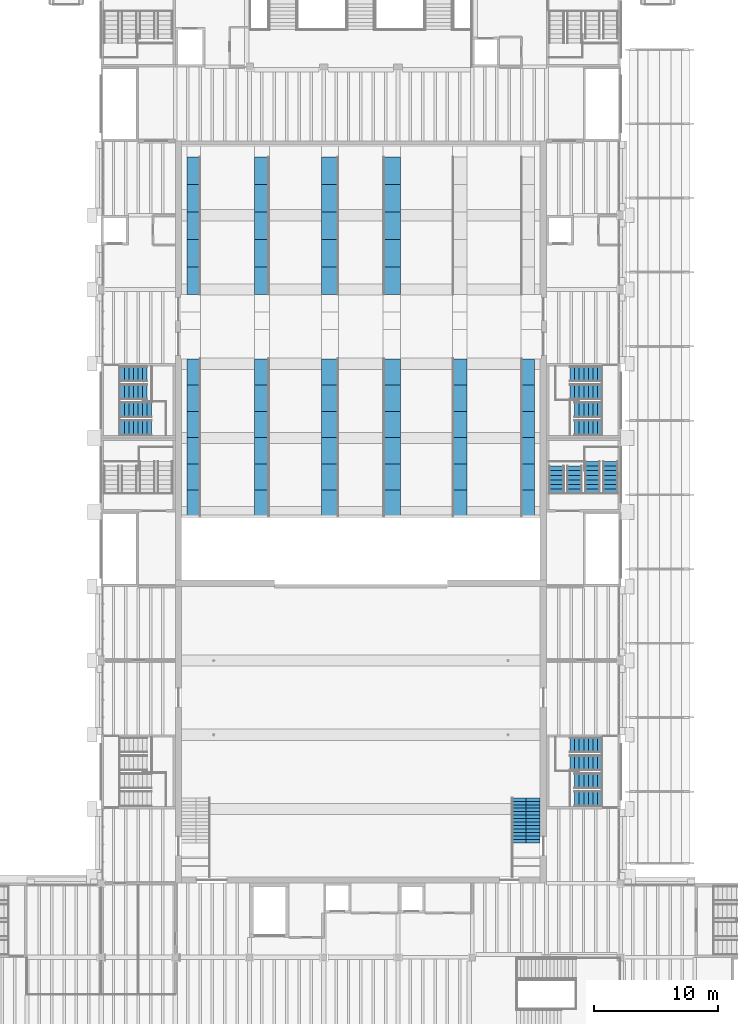
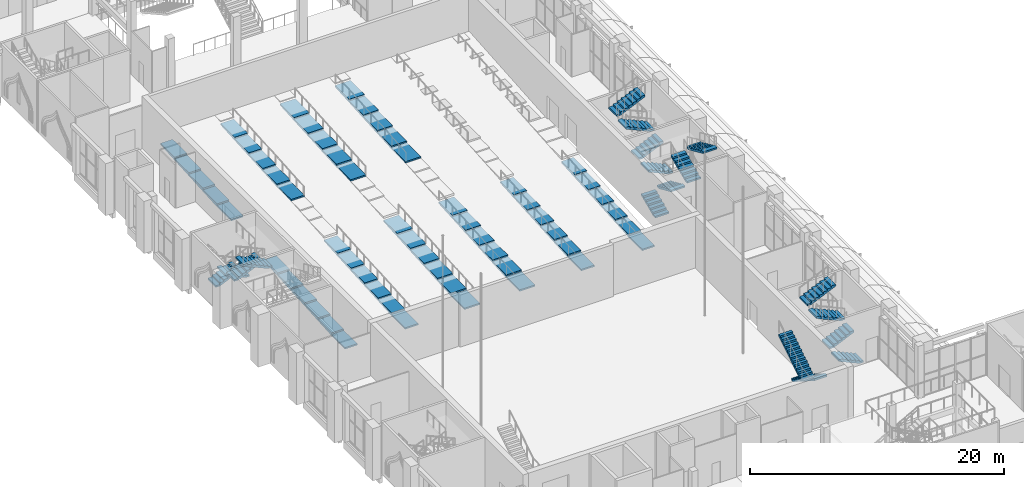
# One storey, part 48 of 80: 28 stair flights, 15 elements without a shape of their own.
"""IFC4 building model written with IfcOpenShell, lengths in metres."""

from ifc_helpers import new_model, si_unit, direction, frame, origin, place, context, subcontext, project, spatial, polyline, outline, extrude, material, type_object, element, aggregate, save


model = new_model("IFC4")

# Units and contexts
model_context = context("Model", 3, precision=1e-05, world=origin(), true_north=direction((0.0, 1.0)))
body_context = subcontext(model_context, "Body", "Model", "MODEL_VIEW")
ifc_project = project(units=[si_unit("LENGTHUNIT", "METRE"), si_unit("AREAUNIT", "SQUARE_METRE"), si_unit("VOLUMEUNIT", "CUBIC_METRE"), si_unit("PLANEANGLEUNIT", "RADIAN"), si_unit("MASSUNIT", "GRAM", prefix="KILO")], contexts=[model_context])

# Site, building, storey
site_placement = place(None, origin())
site = spatial("IfcSite", under=ifc_project, at=site_placement, CompositionType="ELEMENT")
building_placement = place(site_placement, origin())
building = spatial("IfcBuilding", under=site, at=building_placement, Name="Saffron Lane Theatres", CompositionType="ELEMENT")
storey_placement = place(building_placement, frame((0.0, 0.0, 7.0)))
storey = spatial("IfcBuildingStorey", under=building, at=storey_placement, Name="L01", CompositionType="ELEMENT", Elevation=7.0)

# Stair, stair flights
ifc_material_1 = material(Name="Steel Grade 350 stair", Category="steel")
stair_type_1 = type_object("IfcStairType", Name="ST-STEEL STAIR", PredefinedType="HALF_TURN_STAIR", material=ifc_material_1)
stair_1_placement = place(storey_placement, origin())
stair_1 = element("IfcStair", 1, at=stair_1_placement, inside=storey, type_object=stair_type_1, Name="STG4", PredefinedType="HALF_TURN_STAIR")
ifc_material_2 = material(Name="Steel Grade 350 stair", Category="steel")
stair_flight_type_1 = type_object("IfcStairFlightType", Name="ST-STEEL STAIR FLIGHT", PredefinedType="STRAIGHT", material=ifc_material_2)
stair_flight_1_placement = place(storey_placement, frame((46.925048828125, 36.89990234375, 0.0), z_axis=(0.0, 0.0, 1.0), x_axis=(0.0, -1.0, 0.0)))
stair_flight_1 = element("IfcStairFlight", 2, at=stair_flight_1_placement, type_object=stair_flight_type_1, Name="STG4 flight 1", NumberOfRisers=14, NumberOfTreads=13, PredefinedType="STRAIGHT", RiserHeight=0.178571, TreadLength=0.28, context=body_context, shape_type="SweptSolid", body=[
    extrude(outline(polyline([(0.0, 0.0), (0.0, 0.178466796875), (0.280029296875, 0.178466796875), (0.280029296875, 0.357177734375), (0.56005859375, 0.357177734375), (0.56005859375, 0.53564453125), (0.840087890625, 0.53564453125), (0.840087890625, 0.71435546875), (1.1201171875, 0.71435546875), (1.1201171875, 0.892822265625), (1.39990234375, 0.892822265625), (1.39990234375, 1.071533203125), (1.679931640625, 1.071533203125), (1.679931640625, 1.25), (1.9599609375, 1.25), (1.9599609375, 1.428466796875), (2.239990234375, 1.428466796875), (2.239990234375, 1.607177734375), (2.52001953125, 1.607177734375), (2.52001953125, 1.78564453125), (2.800048828125, 1.78564453125), (2.800048828125, 1.96435546875), (3.080078125, 1.96435546875), (3.080078125, 2.142822265625), (3.360107421875, 2.142822265625), (3.360107421875, 2.321533203125), (3.639892578125, 2.321533203125), (3.639892578125, 2.5), (3.639892578125, 2.1435546875), (0.27880859375, 0.0), (0.0, 0.0)])), frame((0.0, 0.574951171875, 0.0), z_axis=(0.0, -1.0, 0.0), x_axis=(1.0, 0.0, 0.0)), (0.0, 0.0, 1.0), 1.14990234375),
])
stair_flight_2_placement = place(storey_placement, frame((45.77490234375, 33.260009765625, 2.5), z_axis=(0.0, 0.0, 1.0), x_axis=(0.0, 1.0, 0.0)))
stair_flight_2 = element("IfcStairFlight", 3, at=stair_flight_2_placement, type_object=stair_flight_type_1, Name="STG4 flight 2", NumberOfRisers=14, NumberOfTreads=13, PredefinedType="STRAIGHT", RiserHeight=0.178571, TreadLength=0.28, context=body_context, shape_type="SweptSolid", body=[
    extrude(outline(polyline([(0.0, 0.0), (0.0, 0.178466796875), (0.280029296875, 0.178466796875), (0.280029296875, 0.357177734375), (0.56005859375, 0.357177734375), (0.56005859375, 0.53564453125), (0.840087890625, 0.53564453125), (0.840087890625, 0.71435546875), (1.1201171875, 0.71435546875), (1.1201171875, 0.892822265625), (1.39990234375, 0.892822265625), (1.39990234375, 1.071533203125), (1.679931640625, 1.071533203125), (1.679931640625, 1.25), (1.9599609375, 1.25), (1.9599609375, 1.428466796875), (2.239990234375, 1.428466796875), (2.239990234375, 1.607177734375), (2.52001953125, 1.607177734375), (2.52001953125, 1.78564453125), (2.800048828125, 1.78564453125), (2.800048828125, 1.96435546875), (3.080078125, 1.96435546875), (3.080078125, 2.142822265625), (3.360107421875, 2.142822265625), (3.360107421875, 2.321533203125), (3.639892578125, 2.321533203125), (3.639892578125, 2.5), (3.639892578125, 2.1435546875), (0.27880859375, 0.0), (0.0, 0.0)])), frame((0.0, 0.574951171875, 0.0), z_axis=(0.0, -1.0, 0.0), x_axis=(1.0, 0.0, 0.0)), (0.0, 0.0, 1.0), 1.14990234375),
])
aggregate(stair_1, [stair_flight_1, stair_flight_2])

# Stair, stair flight
ifc_material_3 = material(Name="Concrete N40 (40 MPa)", Category="concrete")
stair_type_2 = type_object("IfcStairType", Name="VC-STAIR AISLE", PredefinedType="STRAIGHT_RUN_STAIR", material=ifc_material_3)
stair_2_placement = place(storey_placement, origin())
stair_2 = element("IfcStair", 4, at=stair_2_placement, inside=storey, type_object=stair_type_2, Name="Stalls aisle 1 part 1", PredefinedType="STRAIGHT_RUN_STAIR")
ifc_material_4 = material(Name="Concrete N40 (40 MPa)", Category="concrete")
stair_flight_type_2 = type_object("IfcStairFlightType", Name="VC-FLIGHT 1100", PredefinedType="STRAIGHT", material=ifc_material_4)
stair_flight_3_placement = place(storey_placement, frame((19.5, 59.64990234375, -1.22802734375), z_axis=(0.0, 0.0, 1.0), x_axis=(0.0, 1.0, 0.0)))
stair_flight_3 = element("IfcStairFlight", 5, at=stair_flight_3_placement, type_object=stair_flight_type_2, Name="Stalls aisle 1 part 1 flight", NumberOfRisers=7, NumberOfTreads=6, PredefinedType="STRAIGHT", RiserHeight=0.145714286, TreadLength=2.125, context=body_context, shape_type="SweptSolid", body=[
    extrude(outline(polyline([(0.0, 0.0), (0.0, 0.145751953125), (2.125, 0.145751953125), (2.125, 0.29150390625), (4.25, 0.29150390625), (4.25, 0.437255859375), (6.375, 0.437255859375), (6.375, 0.582763671875), (8.5, 0.582763671875), (8.5, 0.728515625), (10.625, 0.728515625), (10.625, 0.874267578125), (12.75, 0.874267578125), (12.75, 1.02001953125), (12.75, 0.72412109375), (2.191162109375, 0.0), (0.0, 0.0)])), frame((0.0, 0.550048828125, 0.0), z_axis=(0.0, -1.0, 0.0), x_axis=(1.0, 0.0, 0.0)), (0.0, 0.0, 1.0), 1.10009765625),
])
aggregate(stair_2, [stair_flight_3])

stair_3_placement = place(storey_placement, origin())
stair_3 = element("IfcStair", 6, at=stair_3_placement, inside=storey, type_object=stair_type_2, Name="Stalls aisle 1 part 2", PredefinedType="STRAIGHT_RUN_STAIR")
stair_flight_4_placement = place(storey_placement, frame((19.5, 77.60009765625, 0.2080078125), z_axis=(0.0, 0.0, 1.0), x_axis=(0.0, 1.0, 0.0)))
stair_flight_4 = element("IfcStairFlight", 7, at=stair_flight_4_placement, type_object=stair_flight_type_2, Name="Stalls aisle 1 part 2 flight", NumberOfRisers=6, NumberOfTreads=5, PredefinedType="STRAIGHT", RiserHeight=0.148, TreadLength=2.22, context=body_context, shape_type="SweptSolid", body=[
    extrude(outline(polyline([(0.0, 0.0), (0.0, 0.14794921875), (2.219970703125, 0.14794921875), (2.219970703125, 0.2958984375), (4.43994140625, 0.2958984375), (4.43994140625, 0.444091796875), (6.659912109375, 0.444091796875), (6.659912109375, 0.592041015625), (8.8798828125, 0.592041015625), (8.8798828125, 0.739990234375), (11.10009765625, 0.739990234375), (11.10009765625, 0.887939453125), (11.10009765625, 0.58984375), (2.25341796875, 0.0), (0.0, 0.0)])), frame((0.0, 0.550048828125, 0.0), z_axis=(0.0, -1.0, 0.0), x_axis=(1.0, 0.0, 0.0)), (0.0, 0.0, 1.0), 1.10009765625),
])
aggregate(stair_3, [stair_flight_4])

stair_4_placement = place(storey_placement, origin())
stair_4 = element("IfcStair", 8, at=stair_4_placement, inside=storey, type_object=stair_type_2, Name="Stalls aisle 6 part 1", PredefinedType="STRAIGHT_RUN_STAIR")
stair_flight_5_placement = place(storey_placement, frame((46.5, 59.64990234375, -1.22802734375), z_axis=(0.0, 0.0, 1.0), x_axis=(0.0, 1.0, 0.0)))
stair_flight_5 = element("IfcStairFlight", 9, at=stair_flight_5_placement, type_object=stair_flight_type_2, Name="Stalls aisle 6 part 1 flight", NumberOfRisers=7, NumberOfTreads=6, PredefinedType="STRAIGHT", RiserHeight=0.145714286, TreadLength=2.125, context=body_context, shape_type="SweptSolid", body=[
    extrude(outline(polyline([(0.0, 0.0), (0.0, 0.145751953125), (2.125, 0.145751953125), (2.125, 0.29150390625), (4.25, 0.29150390625), (4.25, 0.437255859375), (6.375, 0.437255859375), (6.375, 0.582763671875), (8.5, 0.582763671875), (8.5, 0.728515625), (10.625, 0.728515625), (10.625, 0.874267578125), (12.75, 0.874267578125), (12.75, 1.02001953125), (12.75, 0.72412109375), (2.191162109375, 0.0), (0.0, 0.0)])), frame((0.0, 0.550048828125, 0.0), z_axis=(0.0, -1.0, 0.0), x_axis=(1.0, 0.0, 0.0)), (0.0, 0.0, 1.0), 1.10009765625),
])
aggregate(stair_4, [stair_flight_5])

stair_5_placement = place(storey_placement, origin())
stair_5 = element("IfcStair", 10, at=stair_5_placement, inside=storey, type_object=stair_type_2, Name="Stalls aisle 2 part 1", PredefinedType="STRAIGHT_RUN_STAIR")
ifc_material_5 = material(Name="Concrete N40 (40 MPa)", Category="concrete")
stair_flight_type_3 = type_object("IfcStairFlightType", Name="VC-FLIGHT 1200", PredefinedType="STRAIGHT", material=ifc_material_5)
stair_flight_6_placement = place(storey_placement, frame((25.0, 59.64990234375, -1.22802734375), z_axis=(0.0, 0.0, 1.0), x_axis=(0.0, 1.0, 0.0)))
stair_flight_6 = element("IfcStairFlight", 11, at=stair_flight_6_placement, type_object=stair_flight_type_3, Name="Stalls aisle 2 part 1 flight", NumberOfRisers=7, NumberOfTreads=6, PredefinedType="STRAIGHT", RiserHeight=0.145714286, TreadLength=2.125, context=body_context, shape_type="SweptSolid", body=[
    extrude(outline(polyline([(0.0, 0.0), (0.0, 0.145751953125), (2.125, 0.145751953125), (2.125, 0.29150390625), (4.25, 0.29150390625), (4.25, 0.437255859375), (6.375, 0.437255859375), (6.375, 0.582763671875), (8.5, 0.582763671875), (8.5, 0.728515625), (10.625, 0.728515625), (10.625, 0.874267578125), (12.75, 0.874267578125), (12.75, 1.02001953125), (12.75, 0.72412109375), (2.191162109375, 0.0), (0.0, 0.0)])), frame((0.0, 0.60009765625, 0.0), z_axis=(0.0, -1.0, 0.0), x_axis=(1.0, 0.0, 0.0)), (0.0, 0.0, 1.0), 1.199951171875),
])
aggregate(stair_5, [stair_flight_6])

stair_6_placement = place(storey_placement, origin())
stair_6 = element("IfcStair", 12, at=stair_6_placement, inside=storey, type_object=stair_type_2, Name="Stalls aisle 2 part 2", PredefinedType="STRAIGHT_RUN_STAIR")
stair_flight_7_placement = place(storey_placement, frame((25.0, 77.60009765625, 0.2080078125), z_axis=(0.0, 0.0, 1.0), x_axis=(0.0, 1.0, 0.0)))
stair_flight_7 = element("IfcStairFlight", 13, at=stair_flight_7_placement, type_object=stair_flight_type_3, Name="Stalls aisle 2 part 2 flight", NumberOfRisers=6, NumberOfTreads=5, PredefinedType="STRAIGHT", RiserHeight=0.148, TreadLength=2.22, context=body_context, shape_type="SweptSolid", body=[
    extrude(outline(polyline([(0.0, 0.0), (0.0, 0.14794921875), (2.219970703125, 0.14794921875), (2.219970703125, 0.2958984375), (4.43994140625, 0.2958984375), (4.43994140625, 0.444091796875), (6.659912109375, 0.444091796875), (6.659912109375, 0.592041015625), (8.8798828125, 0.592041015625), (8.8798828125, 0.739990234375), (11.10009765625, 0.739990234375), (11.10009765625, 0.887939453125), (11.10009765625, 0.58984375), (2.25341796875, 0.0), (0.0, 0.0)])), frame((0.0, 0.60009765625, 0.0), z_axis=(0.0, -1.0, 0.0), x_axis=(1.0, 0.0, 0.0)), (0.0, 0.0, 1.0), 1.199951171875),
])
aggregate(stair_6, [stair_flight_7])

stair_7_placement = place(storey_placement, origin())
stair_7 = element("IfcStair", 14, at=stair_7_placement, inside=storey, type_object=stair_type_2, Name="Stalls aisle 5 part 1", PredefinedType="STRAIGHT_RUN_STAIR")
stair_flight_8_placement = place(storey_placement, frame((41.0, 59.64990234375, -1.22802734375), z_axis=(0.0, 0.0, 1.0), x_axis=(0.0, 1.0, 0.0)))
stair_flight_8 = element("IfcStairFlight", 15, at=stair_flight_8_placement, type_object=stair_flight_type_3, Name="Stalls aisle 5 part 1 flight", NumberOfRisers=7, NumberOfTreads=6, PredefinedType="STRAIGHT", RiserHeight=0.145714286, TreadLength=2.125, context=body_context, shape_type="SweptSolid", body=[
    extrude(outline(polyline([(0.0, 0.0), (0.0, 0.145751953125), (2.125, 0.145751953125), (2.125, 0.29150390625), (4.25, 0.29150390625), (4.25, 0.437255859375), (6.375, 0.437255859375), (6.375, 0.582763671875), (8.5, 0.582763671875), (8.5, 0.728515625), (10.625, 0.728515625), (10.625, 0.874267578125), (12.75, 0.874267578125), (12.75, 1.02001953125), (12.75, 0.72412109375), (2.191162109375, 0.0), (0.0, 0.0)])), frame((0.0, 0.60009765625, 0.0), z_axis=(0.0, -1.0, 0.0), x_axis=(1.0, 0.0, 0.0)), (0.0, 0.0, 1.0), 1.199951171875),
])
aggregate(stair_7, [stair_flight_8])

# Stair, stair flights
ifc_material_6 = material(Name="Concrete N40 (40 MPa)", Category="concrete")
stair_type_3 = type_object("IfcStairType", Name="VC-STAIR EXIT", PredefinedType="TWO_STRAIGHT_RUN_STAIR", material=ifc_material_6)
stair_8_placement = place(storey_placement, origin())
stair_8 = element("IfcStair", 16, at=stair_8_placement, inside=storey, type_object=stair_type_3, Name="Auditorium West Rear Stair L01 to L02", PredefinedType="TWO_STRAIGHT_RUN_STAIR")
ifc_material_7 = material(Name="Concrete N40 (40 MPa)", Category="concrete")
stair_flight_type_4 = type_object("IfcStairFlightType", Name="VC-FLIGHT 1250", PredefinedType="STRAIGHT", material=ifc_material_7)
stair_flight_9_placement = place(storey_placement, frame((13.5, 71.175048828125, 0.0), z_axis=(0.0, 0.0, 1.0), x_axis=(1.0, 0.0, 0.0)))
stair_flight_9 = element("IfcStairFlight", 17, at=stair_flight_9_placement, type_object=stair_flight_type_4, Name="Auditorium West Rear Stair flight 2.1", NumberOfRisers=7, NumberOfTreads=6, PredefinedType="STRAIGHT", RiserHeight=0.166666667, TreadLength=0.37, context=body_context, shape_type="SweptSolid", body=[
    extrude(outline(polyline([(0.0, 0.0), (0.0, 0.166748046875), (0.3701171875, 0.166748046875), (0.3701171875, 0.333251953125), (0.739990234375, 0.333251953125), (0.739990234375, 0.5), (1.110107421875, 0.5), (1.110107421875, 0.666748046875), (1.47998046875, 0.666748046875), (1.47998046875, 0.833251953125), (1.85009765625, 0.833251953125), (1.85009765625, 1.0), (2.219970703125, 1.0), (2.219970703125, 1.166748046875), (2.219970703125, 0.835693359375), (0.364990234375, 0.0), (0.0, 0.0)])), frame((0.0, 0.625, 0.0), z_axis=(0.0, -1.0, 0.0), x_axis=(1.0, 0.0, 0.0)), (0.0, 0.0, 1.0), 1.25),
])
stair_flight_10_placement = place(storey_placement, frame((15.719970703125, 69.72509765625, 1.166748046875), z_axis=(0.0, 0.0, 1.0), x_axis=(-1.0, 0.0, 0.0)))
stair_flight_10 = element("IfcStairFlight", 18, at=stair_flight_10_placement, type_object=stair_flight_type_4, Name="Auditorium West Rear Stair flight 2.2", NumberOfRisers=7, NumberOfTreads=6, PredefinedType="STRAIGHT", RiserHeight=0.166666667, TreadLength=0.37, context=body_context, shape_type="SweptSolid", body=[
    extrude(outline(polyline([(0.0, 0.0), (0.0, 0.166748046875), (0.3701171875, 0.166748046875), (0.3701171875, 0.333251953125), (0.739990234375, 0.333251953125), (0.739990234375, 0.5), (1.110107421875, 0.5), (1.110107421875, 0.666748046875), (1.47998046875, 0.666748046875), (1.47998046875, 0.833251953125), (1.85009765625, 0.833251953125), (1.85009765625, 1.0), (2.219970703125, 1.0), (2.219970703125, 1.166748046875), (2.219970703125, 0.835693359375), (0.364990234375, 0.0), (0.0, 0.0)])), frame((0.0, 0.625, 0.0), z_axis=(0.0, -1.0, 0.0), x_axis=(1.0, 0.0, 0.0)), (0.0, 0.0, 1.0), 1.25),
])
stair_flight_11_placement = place(storey_placement, frame((13.5, 68.27490234375, 2.333251953125), z_axis=(0.0, 0.0, 1.0), x_axis=(1.0, 0.0, 0.0)))
stair_flight_11 = element("IfcStairFlight", 19, at=stair_flight_11_placement, type_object=stair_flight_type_4, Name="Auditorium West Rear Stair flight 2.3", NumberOfRisers=8, NumberOfTreads=7, PredefinedType="STRAIGHT", RiserHeight=0.166666667, TreadLength=0.37, context=body_context, shape_type="SweptSolid", body=[
    extrude(outline(polyline([(0.0, 0.0), (0.0, 0.166748046875), (0.3701171875, 0.166748046875), (0.3701171875, 0.333251953125), (0.739990234375, 0.333251953125), (0.739990234375, 0.5), (1.110107421875, 0.5), (1.110107421875, 0.666748046875), (1.47998046875, 0.666748046875), (1.47998046875, 0.833251953125), (1.85009765625, 0.833251953125), (1.85009765625, 1.0), (2.219970703125, 1.0), (2.219970703125, 1.166748046875), (2.590087890625, 1.166748046875), (2.590087890625, 1.333251953125), (2.590087890625, 1.002197265625), (0.364990234375, 0.0), (0.0, 0.0)])), frame((0.0, 0.625, 0.0), z_axis=(0.0, -1.0, 0.0), x_axis=(1.0, 0.0, 0.0)), (0.0, 0.0, 1.0), 1.25),
])
stair_flight_12_placement = place(storey_placement, frame((16.090087890625, 66.824951171875, 3.666748046875), z_axis=(0.0, 0.0, 1.0), x_axis=(-1.0, 0.0, 0.0)))
stair_flight_12 = element("IfcStairFlight", 20, at=stair_flight_12_placement, type_object=stair_flight_type_4, Name="Auditorium West Rear Stair flight 2.4", NumberOfRisers=8, NumberOfTreads=7, PredefinedType="STRAIGHT", RiserHeight=0.166666667, TreadLength=0.37, context=body_context, shape_type="SweptSolid", body=[
    extrude(outline(polyline([(0.0, 0.0), (0.0, 0.166748046875), (0.3701171875, 0.166748046875), (0.3701171875, 0.333251953125), (0.739990234375, 0.333251953125), (0.739990234375, 0.5), (1.110107421875, 0.5), (1.110107421875, 0.666748046875), (1.47998046875, 0.666748046875), (1.47998046875, 0.833251953125), (1.85009765625, 0.833251953125), (1.85009765625, 1.0), (2.219970703125, 1.0), (2.219970703125, 1.166748046875), (2.590087890625, 1.166748046875), (2.590087890625, 1.333251953125), (2.590087890625, 1.002197265625), (0.364990234375, 0.0), (0.0, 0.0)])), frame((0.0, 0.625, 0.0), z_axis=(0.0, -1.0, 0.0), x_axis=(1.0, 0.0, 0.0)), (0.0, 0.0, 1.0), 1.25),
])
aggregate(stair_8, [stair_flight_9, stair_flight_10, stair_flight_11, stair_flight_12])

stair_9_placement = place(storey_placement, origin())
stair_9 = element("IfcStair", 21, at=stair_9_placement, inside=storey, type_object=stair_type_3, Name="Auditorium East Rear Stair L01 to L02", PredefinedType="TWO_STRAIGHT_RUN_STAIR")
stair_flight_13_placement = place(storey_placement, frame((52.5, 66.824951171875, 0.0), z_axis=(0.0, 0.0, 1.0), x_axis=(-1.0, 0.0, 0.0)))
stair_flight_13 = element("IfcStairFlight", 22, at=stair_flight_13_placement, type_object=stair_flight_type_4, Name="Auditorium East Rear Stair flight 2.1", NumberOfRisers=7, NumberOfTreads=6, PredefinedType="STRAIGHT", RiserHeight=0.166666667, TreadLength=0.37, context=body_context, shape_type="SweptSolid", body=[
    extrude(outline(polyline([(0.0, 0.0), (0.0, 0.166748046875), (0.3701171875, 0.166748046875), (0.3701171875, 0.333251953125), (0.739990234375, 0.333251953125), (0.739990234375, 0.5), (1.110107421875, 0.5), (1.110107421875, 0.666748046875), (1.47998046875, 0.666748046875), (1.47998046875, 0.833251953125), (1.85009765625, 0.833251953125), (1.85009765625, 1.0), (2.219970703125, 1.0), (2.219970703125, 1.166748046875), (2.219970703125, 0.835693359375), (0.364990234375, 0.0), (0.0, 0.0)])), frame((0.0, 0.625, 0.0), z_axis=(0.0, -1.0, 0.0), x_axis=(1.0, 0.0, 0.0)), (0.0, 0.0, 1.0), 1.25),
])
stair_flight_14_placement = place(storey_placement, frame((50.280029296875, 68.27490234375, 1.166748046875), z_axis=(0.0, 0.0, 1.0), x_axis=(1.0, 0.0, 0.0)))
stair_flight_14 = element("IfcStairFlight", 23, at=stair_flight_14_placement, type_object=stair_flight_type_4, Name="Auditorium East Rear Stair flight 2.2", NumberOfRisers=7, NumberOfTreads=6, PredefinedType="STRAIGHT", RiserHeight=0.166666667, TreadLength=0.37, context=body_context, shape_type="SweptSolid", body=[
    extrude(outline(polyline([(0.0, 0.0), (0.0, 0.166748046875), (0.3701171875, 0.166748046875), (0.3701171875, 0.333251953125), (0.739990234375, 0.333251953125), (0.739990234375, 0.5), (1.110107421875, 0.5), (1.110107421875, 0.666748046875), (1.47998046875, 0.666748046875), (1.47998046875, 0.833251953125), (1.85009765625, 0.833251953125), (1.85009765625, 1.0), (2.219970703125, 1.0), (2.219970703125, 1.166748046875), (2.219970703125, 0.835693359375), (0.364990234375, 0.0), (0.0, 0.0)])), frame((0.0, 0.625, 0.0), z_axis=(0.0, -1.0, 0.0), x_axis=(1.0, 0.0, 0.0)), (0.0, 0.0, 1.0), 1.25),
])
stair_flight_15_placement = place(storey_placement, frame((52.5, 69.72509765625, 2.333251953125), z_axis=(0.0, 0.0, 1.0), x_axis=(-1.0, 0.0, 0.0)))
stair_flight_15 = element("IfcStairFlight", 24, at=stair_flight_15_placement, type_object=stair_flight_type_4, Name="Auditorium East Rear Stair flight 2.3", NumberOfRisers=8, NumberOfTreads=7, PredefinedType="STRAIGHT", RiserHeight=0.166666667, TreadLength=0.37, context=body_context, shape_type="SweptSolid", body=[
    extrude(outline(polyline([(0.0, 0.0), (0.0, 0.166748046875), (0.3701171875, 0.166748046875), (0.3701171875, 0.333251953125), (0.739990234375, 0.333251953125), (0.739990234375, 0.5), (1.110107421875, 0.5), (1.110107421875, 0.666748046875), (1.47998046875, 0.666748046875), (1.47998046875, 0.833251953125), (1.85009765625, 0.833251953125), (1.85009765625, 1.0), (2.219970703125, 1.0), (2.219970703125, 1.166748046875), (2.590087890625, 1.166748046875), (2.590087890625, 1.333251953125), (2.590087890625, 1.002197265625), (0.364990234375, 0.0), (0.0, 0.0)])), frame((0.0, 0.625, 0.0), z_axis=(0.0, -1.0, 0.0), x_axis=(1.0, 0.0, 0.0)), (0.0, 0.0, 1.0), 1.25),
])
stair_flight_16_placement = place(storey_placement, frame((49.909912109375, 71.175048828125, 3.666748046875), z_axis=(0.0, 0.0, 1.0), x_axis=(1.0, 0.0, 0.0)))
stair_flight_16 = element("IfcStairFlight", 25, at=stair_flight_16_placement, type_object=stair_flight_type_4, Name="Auditorium East Rear Stair flight 2.4", NumberOfRisers=8, NumberOfTreads=7, PredefinedType="STRAIGHT", RiserHeight=0.166666667, TreadLength=0.37, context=body_context, shape_type="SweptSolid", body=[
    extrude(outline(polyline([(0.0, 0.0), (0.0, 0.166748046875), (0.3701171875, 0.166748046875), (0.3701171875, 0.333251953125), (0.739990234375, 0.333251953125), (0.739990234375, 0.5), (1.110107421875, 0.5), (1.110107421875, 0.666748046875), (1.47998046875, 0.666748046875), (1.47998046875, 0.833251953125), (1.85009765625, 0.833251953125), (1.85009765625, 1.0), (2.219970703125, 1.0), (2.219970703125, 1.166748046875), (2.590087890625, 1.166748046875), (2.590087890625, 1.333251953125), (2.590087890625, 1.002197265625), (0.364990234375, 0.0), (0.0, 0.0)])), frame((0.0, 0.625, 0.0), z_axis=(0.0, -1.0, 0.0), x_axis=(1.0, 0.0, 0.0)), (0.0, 0.0, 1.0), 1.25),
])
aggregate(stair_9, [stair_flight_13, stair_flight_14, stair_flight_15, stair_flight_16])

stair_10_placement = place(storey_placement, origin())
stair_10 = element("IfcStair", 26, at=stair_10_placement, inside=storey, type_object=stair_type_3, Name="Auditorium East Front Stair L01 to L02", PredefinedType="TWO_STRAIGHT_RUN_STAIR")
stair_flight_17_placement = place(storey_placement, frame((48.824951171875, 61.5, 0.0), z_axis=(0.0, 0.0, 1.0), x_axis=(0.0, 1.0, 0.0)))
stair_flight_17 = element("IfcStairFlight", 27, at=stair_flight_17_placement, type_object=stair_flight_type_4, Name="Auditorium East Front Stair flight 2.1", NumberOfRisers=7, NumberOfTreads=6, PredefinedType="STRAIGHT", RiserHeight=0.166666667, TreadLength=0.37, context=body_context, shape_type="SweptSolid", body=[
    extrude(outline(polyline([(0.0, 0.0), (0.0, 0.166748046875), (0.3701171875, 0.166748046875), (0.3701171875, 0.333251953125), (0.739990234375, 0.333251953125), (0.739990234375, 0.5), (1.110107421875, 0.5), (1.110107421875, 0.666748046875), (1.47998046875, 0.666748046875), (1.47998046875, 0.833251953125), (1.85009765625, 0.833251953125), (1.85009765625, 1.0), (2.219970703125, 1.0), (2.219970703125, 1.166748046875), (2.219970703125, 0.835693359375), (0.364990234375, 0.0), (0.0, 0.0)])), frame((0.0, 0.625, 0.0), z_axis=(0.0, -1.0, 0.0), x_axis=(1.0, 0.0, 0.0)), (0.0, 0.0, 1.0), 1.25),
])
stair_flight_18_placement = place(storey_placement, frame((50.27490234375, 63.719970703125, 1.166748046875), z_axis=(0.0, 0.0, 1.0), x_axis=(0.0, -1.0, 0.0)))
stair_flight_18 = element("IfcStairFlight", 28, at=stair_flight_18_placement, type_object=stair_flight_type_4, Name="Auditorium East Front Stair flight 2.2", NumberOfRisers=7, NumberOfTreads=6, PredefinedType="STRAIGHT", RiserHeight=0.166666667, TreadLength=0.37, context=body_context, shape_type="SweptSolid", body=[
    extrude(outline(polyline([(0.0, 0.0), (0.0, 0.166748046875), (0.3701171875, 0.166748046875), (0.3701171875, 0.333251953125), (0.739990234375, 0.333251953125), (0.739990234375, 0.5), (1.110107421875, 0.5), (1.110107421875, 0.666748046875), (1.47998046875, 0.666748046875), (1.47998046875, 0.833251953125), (1.85009765625, 0.833251953125), (1.85009765625, 1.0), (2.219970703125, 1.0), (2.219970703125, 1.166748046875), (2.219970703125, 0.835693359375), (0.364990234375, 0.0), (0.0, 0.0)])), frame((0.0, 0.625, 0.0), z_axis=(0.0, -1.0, 0.0), x_axis=(1.0, 0.0, 0.0)), (0.0, 0.0, 1.0), 1.25),
])
stair_flight_19_placement = place(storey_placement, frame((51.72509765625, 61.5, 2.333251953125), z_axis=(0.0, 0.0, 1.0), x_axis=(0.0, 1.0, 0.0)))
stair_flight_19 = element("IfcStairFlight", 29, at=stair_flight_19_placement, type_object=stair_flight_type_4, Name="Auditorium East Front Stair flight 2.3", NumberOfRisers=8, NumberOfTreads=7, PredefinedType="STRAIGHT", RiserHeight=0.166666667, TreadLength=0.37, context=body_context, shape_type="SweptSolid", body=[
    extrude(outline(polyline([(0.0, 0.0), (0.0, 0.166748046875), (0.3701171875, 0.166748046875), (0.3701171875, 0.333251953125), (0.739990234375, 0.333251953125), (0.739990234375, 0.5), (1.110107421875, 0.5), (1.110107421875, 0.666748046875), (1.47998046875, 0.666748046875), (1.47998046875, 0.833251953125), (1.85009765625, 0.833251953125), (1.85009765625, 1.0), (2.219970703125, 1.0), (2.219970703125, 1.166748046875), (2.590087890625, 1.166748046875), (2.590087890625, 1.333251953125), (2.590087890625, 1.002197265625), (0.364990234375, 0.0), (0.0, 0.0)])), frame((0.0, 0.625, 0.0), z_axis=(0.0, -1.0, 0.0), x_axis=(1.0, 0.0, 0.0)), (0.0, 0.0, 1.0), 1.25),
])
stair_flight_20_placement = place(storey_placement, frame((53.175048828125, 64.090087890625, 3.666748046875), z_axis=(0.0, 0.0, 1.0), x_axis=(0.0, -1.0, 0.0)))
stair_flight_20 = element("IfcStairFlight", 30, at=stair_flight_20_placement, type_object=stair_flight_type_4, Name="Auditorium East Front Stair flight 2.4", NumberOfRisers=8, NumberOfTreads=7, PredefinedType="STRAIGHT", RiserHeight=0.166666667, TreadLength=0.37, context=body_context, shape_type="SweptSolid", body=[
    extrude(outline(polyline([(0.0, 0.0), (0.0, 0.166748046875), (0.3701171875, 0.166748046875), (0.3701171875, 0.333251953125), (0.739990234375, 0.333251953125), (0.739990234375, 0.5), (1.110107421875, 0.5), (1.110107421875, 0.666748046875), (1.47998046875, 0.666748046875), (1.47998046875, 0.833251953125), (1.85009765625, 0.833251953125), (1.85009765625, 1.0), (2.219970703125, 1.0), (2.219970703125, 1.166748046875), (2.590087890625, 1.166748046875), (2.590087890625, 1.333251953125), (2.590087890625, 1.002197265625), (0.364990234375, 0.0), (0.0, 0.0)])), frame((0.0, 0.625, 0.0), z_axis=(0.0, -1.0, 0.0), x_axis=(1.0, 0.0, 0.0)), (0.0, 0.0, 1.0), 1.25),
])
aggregate(stair_10, [stair_flight_17, stair_flight_18, stair_flight_19, stair_flight_20])

stair_11_placement = place(storey_placement, origin())
stair_11 = element("IfcStair", 31, at=stair_11_placement, inside=storey, type_object=stair_type_3, Name="Stage East Stair L01 to L02", PredefinedType="TWO_STRAIGHT_RUN_STAIR")
stair_flight_21_placement = place(storey_placement, frame((52.5, 36.824951171875, 0.0), z_axis=(0.0, 0.0, 1.0), x_axis=(-1.0, 0.0, 0.0)))
stair_flight_21 = element("IfcStairFlight", 32, at=stair_flight_21_placement, type_object=stair_flight_type_4, Name="Stage East Stair flight 2.1", NumberOfRisers=7, NumberOfTreads=6, PredefinedType="STRAIGHT", RiserHeight=0.166666667, TreadLength=0.37, context=body_context, shape_type="SweptSolid", body=[
    extrude(outline(polyline([(0.0, 0.0), (0.0, 0.166748046875), (0.3701171875, 0.166748046875), (0.3701171875, 0.333251953125), (0.739990234375, 0.333251953125), (0.739990234375, 0.5), (1.110107421875, 0.5), (1.110107421875, 0.666748046875), (1.47998046875, 0.666748046875), (1.47998046875, 0.833251953125), (1.85009765625, 0.833251953125), (1.85009765625, 1.0), (2.219970703125, 1.0), (2.219970703125, 1.166748046875), (2.219970703125, 0.835693359375), (0.364990234375, 0.0), (0.0, 0.0)])), frame((0.0, 0.625, 0.0), z_axis=(0.0, -1.0, 0.0), x_axis=(1.0, 0.0, 0.0)), (0.0, 0.0, 1.0), 1.25),
])
stair_flight_22_placement = place(storey_placement, frame((50.280029296875, 38.27490234375, 1.166748046875), z_axis=(0.0, 0.0, 1.0), x_axis=(1.0, 0.0, 0.0)))
stair_flight_22 = element("IfcStairFlight", 33, at=stair_flight_22_placement, type_object=stair_flight_type_4, Name="Stage East Stair flight 2.2", NumberOfRisers=7, NumberOfTreads=6, PredefinedType="STRAIGHT", RiserHeight=0.166666667, TreadLength=0.37, context=body_context, shape_type="SweptSolid", body=[
    extrude(outline(polyline([(0.0, 0.0), (0.0, 0.166748046875), (0.3701171875, 0.166748046875), (0.3701171875, 0.333251953125), (0.739990234375, 0.333251953125), (0.739990234375, 0.5), (1.110107421875, 0.5), (1.110107421875, 0.666748046875), (1.47998046875, 0.666748046875), (1.47998046875, 0.833251953125), (1.85009765625, 0.833251953125), (1.85009765625, 1.0), (2.219970703125, 1.0), (2.219970703125, 1.166748046875), (2.219970703125, 0.835693359375), (0.364990234375, 0.0), (0.0, 0.0)])), frame((0.0, 0.625, 0.0), z_axis=(0.0, -1.0, 0.0), x_axis=(1.0, 0.0, 0.0)), (0.0, 0.0, 1.0), 1.25),
])
stair_flight_23_placement = place(storey_placement, frame((52.5, 39.72509765625, 2.333251953125), z_axis=(0.0, 0.0, 1.0), x_axis=(-1.0, 0.0, 0.0)))
stair_flight_23 = element("IfcStairFlight", 34, at=stair_flight_23_placement, type_object=stair_flight_type_4, Name="Stage East Stair flight 2.3", NumberOfRisers=8, NumberOfTreads=7, PredefinedType="STRAIGHT", RiserHeight=0.166666667, TreadLength=0.37, context=body_context, shape_type="SweptSolid", body=[
    extrude(outline(polyline([(0.0, 0.0), (0.0, 0.166748046875), (0.3701171875, 0.166748046875), (0.3701171875, 0.333251953125), (0.739990234375, 0.333251953125), (0.739990234375, 0.5), (1.110107421875, 0.5), (1.110107421875, 0.666748046875), (1.47998046875, 0.666748046875), (1.47998046875, 0.833251953125), (1.85009765625, 0.833251953125), (1.85009765625, 1.0), (2.219970703125, 1.0), (2.219970703125, 1.166748046875), (2.590087890625, 1.166748046875), (2.590087890625, 1.333251953125), (2.590087890625, 1.002197265625), (0.364990234375, 0.0), (0.0, 0.0)])), frame((0.0, 0.625, 0.0), z_axis=(0.0, -1.0, 0.0), x_axis=(1.0, 0.0, 0.0)), (0.0, 0.0, 1.0), 1.25),
])
stair_flight_24_placement = place(storey_placement, frame((49.909912109375, 41.175048828125, 3.666748046875), z_axis=(0.0, 0.0, 1.0), x_axis=(1.0, 0.0, 0.0)))
stair_flight_24 = element("IfcStairFlight", 35, at=stair_flight_24_placement, type_object=stair_flight_type_4, Name="Stage East Stair flight 2.4", NumberOfRisers=8, NumberOfTreads=7, PredefinedType="STRAIGHT", RiserHeight=0.166666667, TreadLength=0.37, context=body_context, shape_type="SweptSolid", body=[
    extrude(outline(polyline([(0.0, 0.0), (0.0, 0.166748046875), (0.3701171875, 0.166748046875), (0.3701171875, 0.333251953125), (0.739990234375, 0.333251953125), (0.739990234375, 0.5), (1.110107421875, 0.5), (1.110107421875, 0.666748046875), (1.47998046875, 0.666748046875), (1.47998046875, 0.833251953125), (1.85009765625, 0.833251953125), (1.85009765625, 1.0), (2.219970703125, 1.0), (2.219970703125, 1.166748046875), (2.590087890625, 1.166748046875), (2.590087890625, 1.333251953125), (2.590087890625, 1.002197265625), (0.364990234375, 0.0), (0.0, 0.0)])), frame((0.0, 0.625, 0.0), z_axis=(0.0, -1.0, 0.0), x_axis=(1.0, 0.0, 0.0)), (0.0, 0.0, 1.0), 1.25),
])
aggregate(stair_11, [stair_flight_21, stair_flight_22, stair_flight_23, stair_flight_24])

# Stair, stair flight
stair_12_placement = place(storey_placement, origin())
stair_12 = element("IfcStair", 36, at=stair_12_placement, inside=storey, type_object=stair_type_2, Name="Stalls aisle 3 part 1", PredefinedType="STRAIGHT_RUN_STAIR")
ifc_material_8 = material(Name="Concrete N40 (40 MPa)", Category="concrete")
stair_flight_type_5 = type_object("IfcStairFlightType", Name="VC-FLIGHT 1400", PredefinedType="STRAIGHT", material=ifc_material_8)
stair_flight_25_placement = place(storey_placement, frame((30.5, 59.64990234375, -1.22802734375), z_axis=(0.0, 0.0, 1.0), x_axis=(0.0, 1.0, 0.0)))
stair_flight_25 = element("IfcStairFlight", 37, at=stair_flight_25_placement, type_object=stair_flight_type_5, Name="Stalls aisle 3 part 1 flight", NumberOfRisers=7, NumberOfTreads=6, PredefinedType="STRAIGHT", RiserHeight=0.145714286, TreadLength=2.125, context=body_context, shape_type="SweptSolid", body=[
    extrude(outline(polyline([(0.0, 0.0), (0.0, 0.145751953125), (2.125, 0.145751953125), (2.125, 0.29150390625), (4.25, 0.29150390625), (4.25, 0.437255859375), (6.375, 0.437255859375), (6.375, 0.582763671875), (8.5, 0.582763671875), (8.5, 0.728515625), (10.625, 0.728515625), (10.625, 0.874267578125), (12.75, 0.874267578125), (12.75, 1.02001953125), (12.75, 0.72412109375), (2.191162109375, 0.0), (0.0, 0.0)])), frame((0.0, 0.699951171875, 0.0), z_axis=(0.0, -1.0, 0.0), x_axis=(1.0, 0.0, 0.0)), (0.0, 0.0, 1.0), 1.39990234375),
])
aggregate(stair_12, [stair_flight_25])

stair_13_placement = place(storey_placement, origin())
stair_13 = element("IfcStair", 38, at=stair_13_placement, inside=storey, type_object=stair_type_2, Name="Stalls aisle 3 part 2", PredefinedType="STRAIGHT_RUN_STAIR")
stair_flight_26_placement = place(storey_placement, frame((30.5, 77.60009765625, 0.2080078125), z_axis=(0.0, 0.0, 1.0), x_axis=(0.0, 1.0, 0.0)))
stair_flight_26 = element("IfcStairFlight", 39, at=stair_flight_26_placement, type_object=stair_flight_type_5, Name="Stalls aisle 3 part 2 flight", NumberOfRisers=6, NumberOfTreads=5, PredefinedType="STRAIGHT", RiserHeight=0.148, TreadLength=2.22, context=body_context, shape_type="SweptSolid", body=[
    extrude(outline(polyline([(0.0, 0.0), (0.0, 0.14794921875), (2.219970703125, 0.14794921875), (2.219970703125, 0.2958984375), (4.43994140625, 0.2958984375), (4.43994140625, 0.444091796875), (6.659912109375, 0.444091796875), (6.659912109375, 0.592041015625), (8.8798828125, 0.592041015625), (8.8798828125, 0.739990234375), (11.10009765625, 0.739990234375), (11.10009765625, 0.887939453125), (11.10009765625, 0.58984375), (2.25341796875, 0.0), (0.0, 0.0)])), frame((0.0, 0.699951171875, 0.0), z_axis=(0.0, -1.0, 0.0), x_axis=(1.0, 0.0, 0.0)), (0.0, 0.0, 1.0), 1.39990234375),
])
aggregate(stair_13, [stair_flight_26])

stair_14_placement = place(storey_placement, origin())
stair_14 = element("IfcStair", 40, at=stair_14_placement, inside=storey, type_object=stair_type_2, Name="Stalls aisle 4 part 1", PredefinedType="STRAIGHT_RUN_STAIR")
stair_flight_27_placement = place(storey_placement, frame((35.5, 59.64990234375, -1.22802734375), z_axis=(0.0, 0.0, 1.0), x_axis=(0.0, 1.0, 0.0)))
stair_flight_27 = element("IfcStairFlight", 41, at=stair_flight_27_placement, type_object=stair_flight_type_5, Name="Stalls aisle 4 part 1 flight", NumberOfRisers=7, NumberOfTreads=6, PredefinedType="STRAIGHT", RiserHeight=0.145714286, TreadLength=2.125, context=body_context, shape_type="SweptSolid", body=[
    extrude(outline(polyline([(0.0, 0.0), (0.0, 0.145751953125), (2.125, 0.145751953125), (2.125, 0.29150390625), (4.25, 0.29150390625), (4.25, 0.437255859375), (6.375, 0.437255859375), (6.375, 0.582763671875), (8.5, 0.582763671875), (8.5, 0.728515625), (10.625, 0.728515625), (10.625, 0.874267578125), (12.75, 0.874267578125), (12.75, 1.02001953125), (12.75, 0.72412109375), (2.191162109375, 0.0), (0.0, 0.0)])), frame((0.0, 0.699951171875, 0.0), z_axis=(0.0, -1.0, 0.0), x_axis=(1.0, 0.0, 0.0)), (0.0, 0.0, 1.0), 1.39990234375),
])
aggregate(stair_14, [stair_flight_27])

stair_15_placement = place(storey_placement, origin())
stair_15 = element("IfcStair", 42, at=stair_15_placement, inside=storey, type_object=stair_type_2, Name="Stalls aisle 4 part 2", PredefinedType="STRAIGHT_RUN_STAIR")
stair_flight_28_placement = place(storey_placement, frame((35.5, 77.60009765625, 0.2080078125), z_axis=(0.0, 0.0, 1.0), x_axis=(0.0, 1.0, 0.0)))
stair_flight_28 = element("IfcStairFlight", 43, at=stair_flight_28_placement, type_object=stair_flight_type_5, Name="Stalls aisle 4 part 2 flight", NumberOfRisers=6, NumberOfTreads=5, PredefinedType="STRAIGHT", RiserHeight=0.148, TreadLength=2.22, context=body_context, shape_type="SweptSolid", body=[
    extrude(outline(polyline([(0.0, 0.0), (0.0, 0.14794921875), (2.219970703125, 0.14794921875), (2.219970703125, 0.2958984375), (4.43994140625, 0.2958984375), (4.43994140625, 0.444091796875), (6.659912109375, 0.444091796875), (6.659912109375, 0.592041015625), (8.8798828125, 0.592041015625), (8.8798828125, 0.739990234375), (11.10009765625, 0.739990234375), (11.10009765625, 0.887939453125), (11.10009765625, 0.58984375), (2.25341796875, 0.0), (0.0, 0.0)])), frame((0.0, 0.699951171875, 0.0), z_axis=(0.0, -1.0, 0.0), x_axis=(1.0, 0.0, 0.0)), (0.0, 0.0, 1.0), 1.39990234375),
])
aggregate(stair_15, [stair_flight_28])

save(model, "model.ifc")
